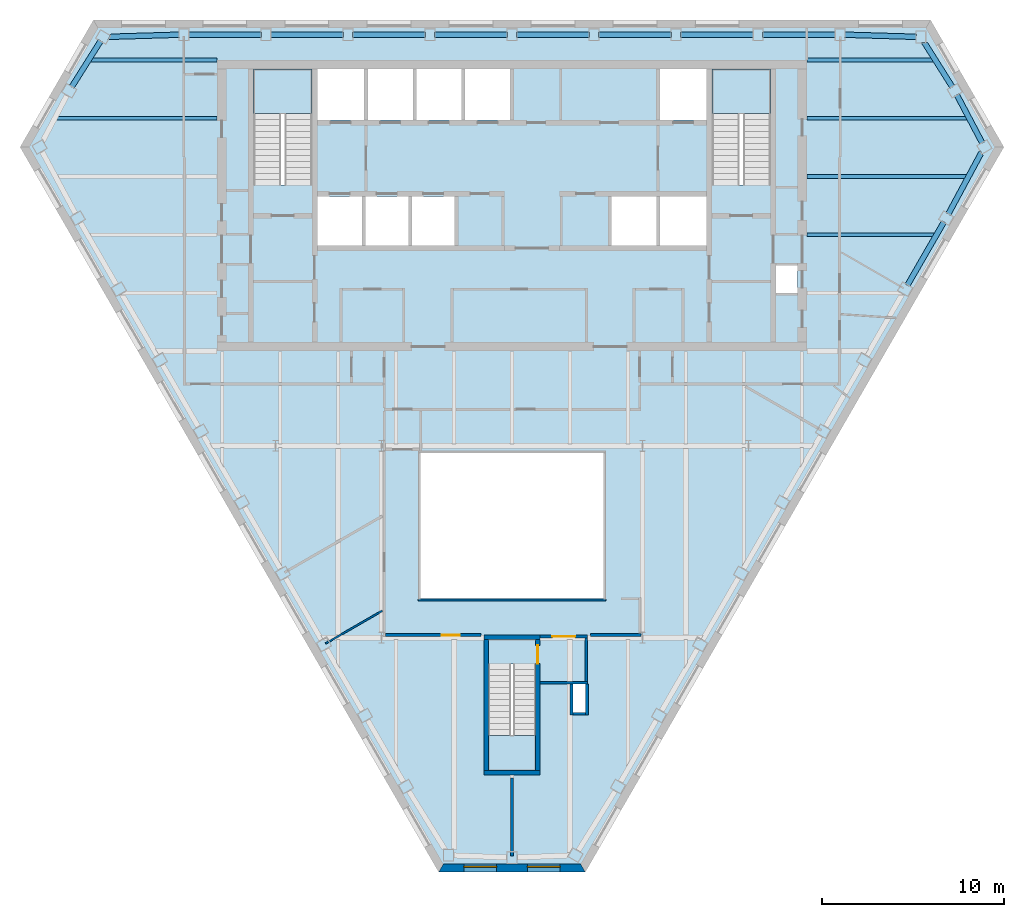
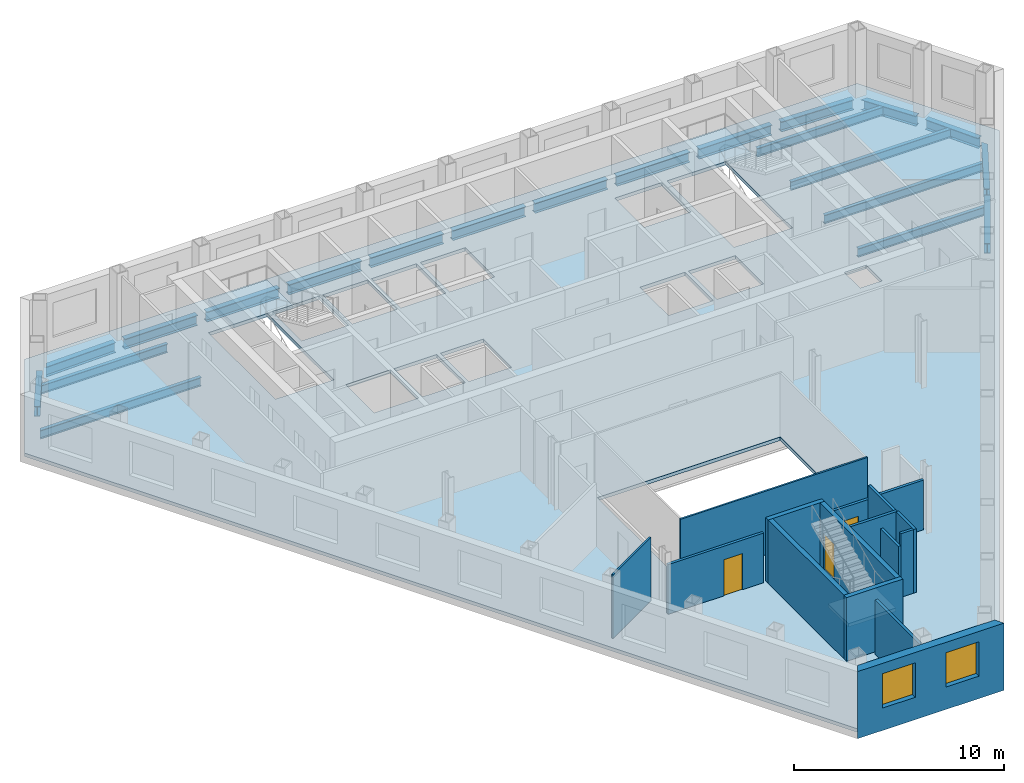
# One storey, part 3 of 11: 21 beams, 16 walls, 4 slabs, 3 doors, 2 windows, 5 openings, 3 elements without a shape of their own.
"""IFC4 building model written with IfcOpenShell, lengths in metres."""

from ifc_helpers import new_model, si_unit, direction, frame, frame_2d, origin, origin_2d, place, context, subcontext, project, spatial, polyline, rectangle, i_section, outline, extrude, clip, halfspace, material, layer, layer_set, material_profile, profile_set, type_object, element, fill, aggregate, save


model = new_model("IFC4")

# Units and contexts
model_context = context("Model", 3, precision=1e-05, world=origin(), true_north=direction((0.0, 1.0)))
body_context = subcontext(model_context, "Body", "Model", "MODEL_VIEW")
ifc_project = project(units=[si_unit("LENGTHUNIT", "METRE"), si_unit("AREAUNIT", "SQUARE_METRE"), si_unit("VOLUMEUNIT", "CUBIC_METRE"), si_unit("PLANEANGLEUNIT", "RADIAN"), si_unit("MASSUNIT", "GRAM", prefix="KILO")], contexts=[model_context])

# Site, building, storey
site_placement = place(None, origin())
site = spatial("IfcSite", under=ifc_project, at=site_placement, CompositionType="ELEMENT")
building_placement = place(site_placement, origin())
building = spatial("IfcBuilding", under=site, at=building_placement, Name="Njiva Tower", CompositionType="ELEMENT")
storey_placement = place(building_placement, frame((0.0, 0.0, 178.8)))
storey = spatial("IfcBuildingStorey", under=building, at=storey_placement, Name="L39", CompositionType="ELEMENT", Elevation=178.8)

# Beams
ifc_material_1 = material(Name="Steel S355 J2", Category="steel")
ifc_material_profile_1 = material_profile(ifc_material_1, i_section(OverallWidth=0.2, OverallDepth=0.5, WebThickness=0.0102, FlangeThickness=0.016, at=origin_2d()), Name="IPE 500")
ifc_profile_set_1 = profile_set([ifc_material_profile_1], Name="Steel S355 J2")
beam_type_1 = type_object("IfcBeamType", Name="B24 Floor beam to the core IPE 500", PredefinedType="BEAM", material=ifc_profile_set_1)
beam_1_placement = place(storey_placement, frame((16.2, 8.4, -0.45), z_axis=(1.0, 0.0, 0.0), x_axis=(0.0, 1.0, 0.0)))
element("IfcBeam", 1, at=beam_1_placement, inside=storey, type_object=beam_type_1, Name="Floor beam to the core S13-B009", PredefinedType="BEAM", context=body_context, shape_type="Clipping", body=[
    clip(extrude(i_section(OverallWidth=0.2, OverallDepth=0.5, WebThickness=0.0102, FlangeThickness=0.016, at=origin_2d()), origin(), (0.0, 0.0, 1.0), 7.091), halfspace(frame((-0.025, 0.0, 6.9986), z_axis=(-0.499998009787, 0.0, 0.866026552831), x_axis=(0.0, 1.0, 0.0)), False)),
])
beam_2_placement = place(storey_placement, frame((16.2, 11.6, -0.45), z_axis=(1.0, 0.0, 0.0), x_axis=(0.0, 1.0, 0.0)))
element("IfcBeam", 2, at=beam_2_placement, inside=storey, type_object=beam_type_1, Name="Floor beam to the core S13-B010", PredefinedType="BEAM", context=body_context, shape_type="Clipping", body=[
    clip(extrude(i_section(OverallWidth=0.2, OverallDepth=0.5, WebThickness=0.0102, FlangeThickness=0.016, at=origin_2d()), origin(), (0.0, 0.0, 1.0), 8.847), halfspace(frame((-0.0237, 0.0, 8.7598), z_axis=(-0.473777178452, 0.0, 0.88064475538), x_axis=(0.0, 1.0, 0.0)), False)),
])
beam_3_placement = place(storey_placement, frame((-25.084, 14.8, -0.45), z_axis=(1.0, 0.0, 0.0), x_axis=(0.0, 1.0, 0.0)))
element("IfcBeam", 3, at=beam_3_placement, inside=storey, type_object=beam_type_1, Name="Floor beam to the core S13-B001", PredefinedType="BEAM", context=body_context, shape_type="Clipping", body=[
    clip(extrude(i_section(OverallWidth=0.2, OverallDepth=0.5, WebThickness=0.0102, FlangeThickness=0.016, at=origin_2d()), origin(), (0.0, 0.0, 1.0), 8.884), halfspace(frame((0.0233, 0.0, 0.0855), z_axis=(0.466638905243, 0.0, -0.884447925043), x_axis=(0.0, -1.0, 0.0)), False)),
])
beam_4_placement = place(storey_placement, frame((16.2, 14.8, -0.45), z_axis=(1.0, 0.0, 0.0), x_axis=(0.0, 1.0, 0.0)))
element("IfcBeam", 4, at=beam_4_placement, inside=storey, type_object=beam_type_1, Name="Floor beam to the core S13-B011", PredefinedType="BEAM", context=body_context, shape_type="Clipping", body=[
    clip(extrude(i_section(OverallWidth=0.2, OverallDepth=0.5, WebThickness=0.0102, FlangeThickness=0.016, at=origin_2d()), origin(), (0.0, 0.0, 1.0), 8.884), halfspace(frame((0.0233, 0.0, 8.7985), z_axis=(0.466638905243, 0.0, 0.884447925043), x_axis=(0.0, 1.0, 0.0)), False)),
])
beam_5_placement = place(storey_placement, frame((-23.228, 18.0, -0.45), z_axis=(1.0, 0.0, 0.0), x_axis=(0.0, 1.0, 0.0)))
element("IfcBeam", 5, at=beam_5_placement, inside=storey, type_object=beam_type_1, Name="Floor beam to the core S13-B004", PredefinedType="BEAM", context=body_context, shape_type="Clipping", body=[
    clip(extrude(i_section(OverallWidth=0.2, OverallDepth=0.5, WebThickness=0.0102, FlangeThickness=0.016, at=origin_2d()), origin(), (0.0, 0.0, 1.0), 7.028), halfspace(frame((0.0266, 0.0, 0.0994), z_axis=(0.532629190564, 0.0, -0.846348713805), x_axis=(0.0, -1.0, 0.0)), False)),
])
beam_6_placement = place(storey_placement, frame((16.2, 18.0, -0.45), z_axis=(1.0, 0.0, 0.0), x_axis=(0.0, 1.0, 0.0)))
element("IfcBeam", 6, at=beam_6_placement, inside=storey, type_object=beam_type_1, Name="Floor beam to the core S13-B012", PredefinedType="BEAM", context=body_context, shape_type="Clipping", body=[
    clip(extrude(i_section(OverallWidth=0.2, OverallDepth=0.5, WebThickness=0.0102, FlangeThickness=0.016, at=origin_2d()), origin(), (0.0, 0.0, 1.0), 7.028), halfspace(frame((0.0266, 0.0, 6.9286), z_axis=(0.532629190564, 0.0, 0.846348713805), x_axis=(0.0, 1.0, 0.0)), False)),
])
ifc_material_profile_2 = material_profile(ifc_material_1, i_section(OverallWidth=0.3, OverallDepth=0.59, WebThickness=0.013, FlangeThickness=0.025, at=origin_2d()), Name="HEA 600")
ifc_profile_set_2 = profile_set([ifc_material_profile_2], Name="Steel S355 J2")
beam_type_2 = type_object("IfcBeamType", Name="B27 Short-span spandrel beam HEA 600", PredefinedType="SPANDREL", material=ifc_profile_set_2)
beam_7_placement = place(storey_placement, frame((22.212, 19.275, -0.495), z_axis=(-0.999555783921, 0.029803268787, 0.0), x_axis=(-0.029803268787, -0.999555783921, 0.0)))
element("IfcBeam", 7, at=beam_7_placement, inside=storey, type_object=beam_type_2, Name="Short-span spandrel beam S13-B142", PredefinedType="SPANDREL", context=body_context, shape_type="SweptSolid", body=[
    extrude(i_section(OverallWidth=0.3, OverallDepth=0.59, WebThickness=0.013, FlangeThickness=0.025, at=origin_2d()), origin(), (0.0, 0.0, 1.0), 3.9257),
])
beam_8_placement = place(storey_placement, frame((17.784, 19.4, -0.495), z_axis=(-1.0, 0.0, 0.0), x_axis=(0.0, -1.0, 0.0)))
element("IfcBeam", 8, at=beam_8_placement, inside=storey, type_object=beam_type_2, Name="Short-span spandrel beam S13-B136", PredefinedType="SPANDREL", context=body_context, shape_type="SweptSolid", body=[
    extrude(i_section(OverallWidth=0.3, OverallDepth=0.59, WebThickness=0.013, FlangeThickness=0.025, at=origin_2d()), origin(), (0.0, 0.0, 1.0), 4.008),
])
beam_9_placement = place(storey_placement, frame((13.276, 19.4, -0.495), z_axis=(-1.0, 0.0, 0.0), x_axis=(0.0, -1.0, 0.0)))
element("IfcBeam", 9, at=beam_9_placement, inside=storey, type_object=beam_type_2, Name="Short-span spandrel beam S13-B130", PredefinedType="SPANDREL", context=body_context, shape_type="SweptSolid", body=[
    extrude(i_section(OverallWidth=0.3, OverallDepth=0.59, WebThickness=0.013, FlangeThickness=0.025, at=origin_2d()), origin(), (0.0, 0.0, 1.0), 4.009),
])
beam_10_placement = place(storey_placement, frame((8.767, 19.4, -0.495), z_axis=(-1.0, 0.0, 0.0), x_axis=(0.0, -1.0, 0.0)))
element("IfcBeam", 10, at=beam_10_placement, inside=storey, type_object=beam_type_2, Name="Short-span spandrel beam S13-B124", PredefinedType="SPANDREL", context=body_context, shape_type="SweptSolid", body=[
    extrude(i_section(OverallWidth=0.3, OverallDepth=0.59, WebThickness=0.013, FlangeThickness=0.025, at=origin_2d()), origin(), (0.0, 0.0, 1.0), 4.008),
])
for number, where, z_axis, x_axis, name in (
    (11, (4.259, 19.4, -0.495), (-1.0, 0.0, 0.0), (0.0, -1.0, 0.0), "Short-span spandrel beam S13-B121"),
    (12, (-0.25, 19.4, -0.495), (-1.0, 0.0, 0.0), (0.0, -1.0, 0.0), "Short-span spandrel beam S13-B116"),
):
    element("IfcBeam", number, at=place(storey_placement, frame(where, z_axis=z_axis, x_axis=x_axis)), inside=storey, type_object=beam_type_2, Name=name, PredefinedType="SPANDREL", context=body_context, shape_type="SweptSolid", body=[
        extrude(i_section(OverallWidth=0.3, OverallDepth=0.59, WebThickness=0.013, FlangeThickness=0.025, at=origin_2d()), origin(), (0.0, 0.0, 1.0), 4.009),
    ])
beam_11_placement = place(storey_placement, frame((-4.759, 19.4, -0.495), z_axis=(-1.0, 0.0, 0.0), x_axis=(0.0, -1.0, 0.0)))
element("IfcBeam", 13, at=beam_11_placement, inside=storey, type_object=beam_type_2, Name="Short-span spandrel beam S13-B111", PredefinedType="SPANDREL", context=body_context, shape_type="SweptSolid", body=[
    extrude(i_section(OverallWidth=0.3, OverallDepth=0.59, WebThickness=0.013, FlangeThickness=0.025, at=origin_2d()), origin(), (0.0, 0.0, 1.0), 4.008),
])
beam_12_placement = place(storey_placement, frame((-9.267, 19.4, -0.495), z_axis=(-1.0, 0.0, 0.0), x_axis=(0.0, -1.0, 0.0)))
element("IfcBeam", 14, at=beam_12_placement, inside=storey, type_object=beam_type_2, Name="Short-span spandrel beam S13-B105", PredefinedType="SPANDREL", context=body_context, shape_type="SweptSolid", body=[
    extrude(i_section(OverallWidth=0.3, OverallDepth=0.59, WebThickness=0.013, FlangeThickness=0.025, at=origin_2d()), origin(), (0.0, 0.0, 1.0), 4.009),
])
beam_13_placement = place(storey_placement, frame((-13.776, 19.4, -0.495), z_axis=(-1.0, 0.0, 0.0), x_axis=(0.0, -1.0, 0.0)))
element("IfcBeam", 15, at=beam_13_placement, inside=storey, type_object=beam_type_2, Name="Short-span spandrel beam S13-B099", PredefinedType="SPANDREL", context=body_context, shape_type="SweptSolid", body=[
    extrude(i_section(OverallWidth=0.3, OverallDepth=0.59, WebThickness=0.013, FlangeThickness=0.025, at=origin_2d()), origin(), (0.0, 0.0, 1.0), 4.008),
])
beam_14_placement = place(storey_placement, frame((-18.288, 19.392, -0.495), z_axis=(-0.999548579163, -0.030043932724, 0.0), x_axis=(0.030043932724, -0.999548579163, 0.0)))
element("IfcBeam", 16, at=beam_14_placement, inside=storey, type_object=beam_type_2, Name="Short-span spandrel beam S13-B093", PredefinedType="SPANDREL", context=body_context, shape_type="Clipping", body=[
    clip(extrude(i_section(OverallWidth=0.3, OverallDepth=0.59, WebThickness=0.013, FlangeThickness=0.025, at=origin_2d()), origin(), (0.0, 0.0, 1.0), 3.9407), halfspace(frame((-0.0268, 0.0, 3.811), z_axis=(-0.525791143758, 0.0, 0.850613703832), x_axis=(0.0, 1.0, 0.0)), False)),
])
beam_15_placement = place(storey_placement, frame((-22.602, 19.051, -0.495), z_axis=(-0.532617672798, -0.846355962124, 0.0), x_axis=(0.846355962124, -0.532617672798, 0.0)))
element("IfcBeam", 17, at=beam_15_placement, inside=storey, type_object=beam_type_2, Name="Short-span spandrel beam S13-B090", PredefinedType="SPANDREL", context=body_context, shape_type="SweptSolid", body=[
    extrude(i_section(OverallWidth=0.3, OverallDepth=0.59, WebThickness=0.013, FlangeThickness=0.025, at=origin_2d()), origin(), (0.0, 0.0, 1.0), 2.9834),
])
beam_16_placement = place(storey_placement, frame((21.728, 5.628, -0.495), z_axis=(0.500003221507, 0.866023543838, 0.0), x_axis=(-0.866023543838, 0.500003221507, 0.0)))
element("IfcBeam", 18, at=beam_16_placement, inside=storey, type_object=beam_type_2, Name="Short-span spandrel beam S13-B146", PredefinedType="SPANDREL", context=body_context, shape_type="SweptSolid", body=[
    extrude(i_section(OverallWidth=0.3, OverallDepth=0.59, WebThickness=0.013, FlangeThickness=0.025, at=origin_2d()), origin(), (0.0, 0.0, 1.0), 4.008),
])
beam_17_placement = place(storey_placement, frame((23.977, 9.539, -0.495), z_axis=(0.473866139808, 0.880596889356, 0.0), x_axis=(-0.880596889356, 0.473866139808, 0.0)))
element("IfcBeam", 19, at=beam_17_placement, inside=storey, type_object=beam_type_2, Name="Short-span spandrel beam S13-B150", PredefinedType="SPANDREL", context=body_context, shape_type="Clipping", body=[
    clip(extrude(i_section(OverallWidth=0.3, OverallDepth=0.59, WebThickness=0.013, FlangeThickness=0.025, at=origin_2d()), origin(), (0.0, 0.0, 1.0), 3.9411), halfspace(frame((-0.0262, 0.0, 3.8115), z_axis=(-0.525688161714, 0.0, 0.850677351664), x_axis=(0.0, 1.0, 0.0)), False)),
])
beam_18_placement = place(storey_placement, frame((25.839, 13.445, -0.495), z_axis=(-0.466809583155, 0.884357853515, 0.0), x_axis=(-0.884357853515, -0.466809583155, 0.0)))
element("IfcBeam", 20, at=beam_18_placement, inside=storey, type_object=beam_type_2, Name="Short-span spandrel beam S13-B151", PredefinedType="SPANDREL", context=body_context, shape_type="SweptSolid", body=[
    extrude(i_section(OverallWidth=0.3, OverallDepth=0.59, WebThickness=0.013, FlangeThickness=0.025, at=origin_2d()), origin(), (0.0, 0.0, 1.0), 2.9841),
])
beam_19_placement = place(storey_placement, frame((24.191, 16.526, -0.495), z_axis=(-0.532583342935, 0.846377565173, 0.0), x_axis=(-0.846377565173, -0.532583342935, 0.0)))
element("IfcBeam", 21, at=beam_19_placement, inside=storey, type_object=beam_type_2, Name="Short-span spandrel beam S13-B147", PredefinedType="SPANDREL", context=body_context, shape_type="Clipping", body=[
    clip(extrude(i_section(OverallWidth=0.3, OverallDepth=0.59, WebThickness=0.013, FlangeThickness=0.025, at=origin_2d()), origin(), (0.0, 0.0, 1.0), 2.9981), halfspace(frame((-0.0267, 0.0, 2.8673), z_axis=(-0.532583342935, 0.0, 0.846377565173), x_axis=(0.0, 1.0, 0.0)), False)),
])

# Stair, slab
ifc_material_2 = material(Name="Concrete C40/50", Category="concrete")
stair_type_1 = type_object("IfcStairType", Name="ST4 Exit stair 1500", PredefinedType="HALF_TURN_STAIR", material=ifc_material_2)
stair_1_placement = place(storey_placement, origin())
stair_1 = element("IfcStair", 22, at=stair_1_placement, inside=storey, type_object=stair_type_1, Name="Stair A", PredefinedType="HALF_TURN_STAIR")
ifc_layer_1 = layer(ifc_material_2, 0.2)
ifc_layer_set_1 = layer_set([ifc_layer_1], Name="Concrete C40/50")
slab_type_1 = type_object("IfcSlabType", Name="FL9 Stair landing 200", PredefinedType="LANDING", material=ifc_layer_set_1)
slab_1_placement = place(storey_placement, frame((0.0, 0.0, 1.75)))
slab_1 = element("IfcSlab", 23, at=slab_1_placement, type_object=slab_type_1, Name="ST-A landing 1", PredefinedType="LANDING", context=body_context, shape_type="SweptSolid", body=[
    extrude(outline(polyline([(-14.206, 15.06), (-10.994, 15.06), (-10.994, 17.5), (-14.206, 17.5), (-14.206, 15.06)])), origin(), (0.0, 0.0, 1.0), 0.2),
])
aggregate(stair_1, [slab_1])

stair_2_placement = place(storey_placement, origin())
stair_2 = element("IfcStair", 24, at=stair_2_placement, inside=storey, type_object=stair_type_1, Name="Stair B", PredefinedType="HALF_TURN_STAIR")
slab_2_placement = place(storey_placement, frame((0.0, 0.0, 1.75)))
slab_2 = element("IfcSlab", 25, at=slab_2_placement, type_object=slab_type_1, Name="ST-B landing 1", PredefinedType="LANDING", context=body_context, shape_type="SweptSolid", body=[
    extrude(outline(polyline([(10.994, 15.06), (14.206, 15.06), (14.206, 17.5), (10.994, 17.5), (10.994, 15.06)])), origin(), (0.0, 0.0, 1.0), 0.2),
])
aggregate(stair_2, [slab_2])

stair_type_2 = type_object("IfcStairType", Name="ST1 Exit stair 1250", PredefinedType="HALF_TURN_STAIR", material=ifc_material_2)
stair_3_placement = place(storey_placement, origin())
stair_3 = element("IfcStair", 26, at=stair_3_placement, inside=storey, type_object=stair_type_2, Name="Stair C", PredefinedType="HALF_TURN_STAIR")
slab_3_placement = place(storey_placement, frame((0.0, 0.0, 1.75)))
slab_3 = element("IfcSlab", 27, at=slab_3_placement, type_object=slab_type_1, Name="ST-C landing 1", PredefinedType="LANDING", context=body_context, shape_type="SweptSolid", body=[
    extrude(outline(polyline([(-1.306, -21.05), (1.306, -21.05), (1.306, -19.12), (-1.306, -19.12), (-1.306, -21.05)])), origin(), (0.0, 0.0, 1.0), 0.2),
])
aggregate(stair_3, [slab_3])

# Slab
ifc_material_3 = material(Name="Concrete C30/37", Category="concrete")
ifc_layer_2 = layer(ifc_material_3, 0.2)
ifc_layer_set_2 = layer_set([ifc_layer_2], Name="Concrete C30/37")
slab_type_2 = type_object("IfcSlabType", Name="SL16 Composite floor slab 200", PredefinedType="FLOOR", material=ifc_layer_set_2)
slab_4_placement = place(storey_placement, frame((0.0, 0.0, -0.2)))
element("IfcSlab", 28, at=slab_4_placement, inside=storey, type_object=slab_type_2, Name="Floor slab L39", PredefinedType="FLOOR", context=body_context, shape_type="SweptSolid", body=[
    extrude(outline(polyline([(26.7752, 13.2198), (3.9001, -26.401), (-3.9001, -26.401), (-26.7752, 13.2198), (-22.8751, 19.975), (22.8751, 19.975), (26.7752, 13.2198)]), holes=[polyline([(14.5, 5.2), (15.7, 5.2), (15.7, 6.7), (14.5, 6.7), (14.5, 5.2)]), polyline([(10.994, 11.13), (14.206, 11.13), (14.206, 17.5), (10.994, 17.5), (10.994, 11.13)]), polyline([(8.125, 14.7), (10.7, 14.7), (10.7, 17.5), (8.125, 17.5), (8.125, 14.7)]), polyline([(8.1333, 7.8), (10.7, 7.8), (10.7, 10.5), (8.1333, 10.5), (8.1333, 7.8)]), polyline([(5.4667, 7.8), (7.9333, 7.8), (7.9333, 10.5), (5.4667, 10.5), (5.4667, 7.8)]), polyline([(5.02, -11.6), (5.02, -3.6), (-5.02, -3.6), (-5.02, -11.6), (5.02, -11.6)]), polyline([(3.35, -17.85), (4.05, -17.85), (4.05, -16.3), (3.35, -16.3), (3.35, -17.85)]), polyline([(-1.306, -21.05), (1.306, -21.05), (1.306, -15.19), (-1.306, -15.19), (-1.306, -21.05)]), polyline([(-2.575, 14.7), (-0.1, 14.7), (-0.1, 17.5), (-2.575, 17.5), (-2.575, 14.7)]), polyline([(-5.25, 14.7), (-2.775, 14.7), (-2.775, 17.5), (-5.25, 17.5), (-5.25, 14.7)]), polyline([(-5.5, 7.8), (-3.15, 7.8), (-3.15, 10.5), (-5.5, 10.5), (-5.5, 7.8)]), polyline([(-7.925, 14.7), (-5.45, 14.7), (-5.45, 17.5), (-7.925, 17.5), (-7.925, 14.7)]), polyline([(-8.05, 7.8), (-5.7, 7.8), (-5.7, 10.5), (-8.05, 10.5), (-8.05, 7.8)]), polyline([(-10.7, 14.7), (-8.125, 14.7), (-8.125, 17.5), (-10.7, 17.5), (-10.7, 14.7)]), polyline([(-10.7, 7.8), (-8.25, 7.8), (-8.25, 10.5), (-10.7, 10.5), (-10.7, 7.8)]), polyline([(-14.206, 11.13), (-10.994, 11.13), (-10.994, 17.5), (-14.206, 17.5), (-14.206, 11.13)])]), origin(), (0.0, 0.0, 1.0), 0.2),
])

# Wall
ifc_material_4 = material(Name="Gypsum board on steel studs", Category="gypsum")
ifc_layer_3 = layer(ifc_material_4, 0.1)
ifc_layer_set_3 = layer_set([ifc_layer_3], Name="Gypsum board on steel studs")
wall_type_1 = type_object("IfcWallType", Name="WT20 Gypsum partition 100", PredefinedType="PARTITIONING", material=ifc_layer_set_3)
wall_1_placement = place(storey_placement, frame((-10.244, -14.062, 0.0), z_axis=(0.0, 0.0, 1.0), x_axis=(0.866102493935, 0.499866452165, 0.0)))
element("IfcWall", 29, at=wall_1_placement, inside=storey, type_object=wall_type_1, Name="Partition S13-P007", PredefinedType="PARTITIONING", context=body_context, shape_type="SweptSolid", body=[
    extrude(rectangle(XDim=3.607, YDim=0.1, at=frame_2d((1.8035, 0.0))), origin(), (0.0, 0.0, 1.0), 3.7),
])

# Wall, opening, door
ifc_layer_4 = layer(ifc_material_4, 0.15)
ifc_layer_set_4 = layer_set([ifc_layer_4], Name="Gypsum board on steel studs")
wall_type_2 = type_object("IfcWallType", Name="WT21 Compartment wall 150", PredefinedType="PARTITIONING", material=ifc_layer_set_4)
wall_2_placement = place(storey_placement, frame((-6.945, -13.6, 0.0), z_axis=(0.0, 0.0, 1.0), x_axis=(1.0, 0.0, 0.0)))
wall_2 = element("IfcWall", 30, at=wall_2_placement, inside=storey, type_object=wall_type_2, Name="Partition S13-P013", PredefinedType="PARTITIONING", context=body_context, shape_type="SweptSolid", body=[
    extrude(rectangle(XDim=5.245, YDim=0.15, at=frame_2d((2.6225, 0.0))), origin(), (0.0, 0.0, 1.0), 2.886),
])
opening_1_placement = place(wall_2_placement, frame((3.079, 0.0, 0.0)))
opening_1 = element("IfcOpeningElement", 31, at=opening_1_placement, cuts=wall_2, Name="Opening S13-D008", PredefinedType="OPENING", context=body_context, shape_type="SweptSolid", body=[
    extrude(rectangle(XDim=1.0, YDim=2.1, at=frame_2d((0.5, 1.05))), frame((0.0, 0.085, 0.0), z_axis=(0.0, -1.0, 0.0), x_axis=(1.0, 0.0, 0.0)), (0.0, 0.0, 1.0), 0.17),
])
ifc_material_5 = material(Name="Steel fire door set", Category="steel")
door_type_1 = type_object("IfcDoorType", Name="D37 Fire door 1000x2100", OperationType="SINGLE_SWING_LEFT", PredefinedType="DOOR", material=ifc_material_5)
door_1_placement = place(opening_1_placement, origin())
door_1 = element("IfcDoor", 32, at=door_1_placement, inside=storey, type_object=door_type_1, Name="Door S13-D008", OperationType="SINGLE_SWING_RIGHT", OverallHeight=2.1, OverallWidth=1.0, PredefinedType="DOOR", context=body_context, shape_type="SweptSolid", body=[
    extrude(rectangle(XDim=1.0, YDim=2.1, at=frame_2d((0.5, 1.05))), frame((0.0, 0.025, 0.0), z_axis=(0.0, -1.0, 0.0), x_axis=(1.0, 0.0, 0.0)), (0.0, 0.0, 1.0), 0.05),
])
fill(opening_1, door_1)

# Walls
wall_3_placement = place(storey_placement, frame((0.0, -25.726, 0.0), z_axis=(0.0, 0.0, 1.0), x_axis=(0.0, 1.0, 0.0)))
element("IfcWall", 33, at=wall_3_placement, inside=storey, type_object=wall_type_2, Name="Partition S13-P016", PredefinedType="PARTITIONING", context=body_context, shape_type="SweptSolid", body=[
    extrude(rectangle(XDim=4.276, YDim=0.15, at=frame_2d((2.138, 0.0))), origin(), (0.0, 0.0, 1.0), 3.15),
])
wall_4_placement = place(storey_placement, frame((4.3, -13.6, 0.0), z_axis=(0.0, 0.0, 1.0), x_axis=(1.0, 0.0, 0.0)))
element("IfcWall", 34, at=wall_4_placement, inside=storey, type_object=wall_type_2, Name="Partition S13-P017", PredefinedType="PARTITIONING", context=body_context, shape_type="SweptSolid", body=[
    extrude(rectangle(XDim=2.795, YDim=0.15, at=frame_2d((1.3975, 0.0))), origin(), (0.0, 0.0, 1.0), 2.886),
])
ifc_material_6 = material(Name="Blockwork", Category="masonry")
ifc_layer_5 = layer(ifc_material_6, 0.15)
ifc_layer_set_5 = layer_set([ifc_layer_5], Name="Blockwork")
wall_type_3 = type_object("IfcWallType", Name="WT4 Stair partition 150", PredefinedType="PARTITIONING", material=ifc_layer_set_5)
wall_5_placement = place(storey_placement, frame((1.55, -16.225, 0.0), z_axis=(0.0, 0.0, 1.0), x_axis=(1.0, 0.0, 0.0)))
element("IfcWall", 35, at=wall_5_placement, inside=storey, type_object=wall_type_3, Name="Stair C vestibule wall south", PredefinedType="PARTITIONING", context=body_context, shape_type="SweptSolid", body=[
    extrude(rectangle(XDim=2.6, YDim=0.15, at=frame_2d((1.3, 0.0))), origin(), (0.0, 0.0, 1.0), 3.7),
])
wall_6_placement = place(storey_placement, frame((4.075, -16.15, 0.0), z_axis=(0.0, 0.0, 1.0), x_axis=(0.0, 1.0, 0.0)))
element("IfcWall", 36, at=wall_6_placement, inside=storey, type_object=wall_type_3, Name="Stair C vestibule wall east", PredefinedType="PARTITIONING", context=body_context, shape_type="SweptSolid", body=[
    extrude(rectangle(XDim=2.4, YDim=0.15, at=frame_2d((1.2, 0.0))), origin(), (0.0, 0.0, 1.0), 3.7),
])

# Wall, opening, door
wall_7_placement = place(storey_placement, frame((1.55, -13.675, 0.0), z_axis=(0.0, 0.0, 1.0), x_axis=(1.0, 0.0, 0.0)))
wall_7 = element("IfcWall", 37, at=wall_7_placement, inside=storey, type_object=wall_type_3, Name="Stair C vestibule wall north", PredefinedType="PARTITIONING", context=body_context, shape_type="SweptSolid", body=[
    extrude(rectangle(XDim=2.6, YDim=0.15, at=frame_2d((1.3, 0.0))), origin(), (0.0, 0.0, 1.0), 2.886),
])
opening_2_placement = place(wall_7_placement, frame((0.675, 0.0, 0.0)))
opening_2 = element("IfcOpeningElement", 38, at=opening_2_placement, cuts=wall_7, Name="Opening S13-D940", PredefinedType="OPENING", context=body_context, shape_type="SweptSolid", body=[
    extrude(rectangle(XDim=1.25, YDim=2.1, at=frame_2d((0.625, 1.05))), frame((0.0, 0.085, 0.0), z_axis=(0.0, -1.0, 0.0), x_axis=(1.0, 0.0, 0.0)), (0.0, 0.0, 1.0), 0.17),
])
ifc_material_7 = material(Name="Glazed steel fire door", Category="steel")
door_type_2 = type_object("IfcDoorType", Name="D8 Vestibule corridor door 1250x2100 glazed", OperationType="SINGLE_SWING_LEFT", PredefinedType="DOOR", material=ifc_material_7)
door_2_placement = place(opening_2_placement, origin())
door_2 = element("IfcDoor", 39, at=door_2_placement, inside=storey, type_object=door_type_2, Name="Stair vestibule corridor door", OperationType="SINGLE_SWING_RIGHT", OverallHeight=2.1, OverallWidth=1.25, PredefinedType="DOOR", context=body_context, shape_type="SweptSolid", body=[
    extrude(rectangle(XDim=1.25, YDim=2.1, at=frame_2d((0.625, 1.05))), frame((0.0, 0.025, 0.0), z_axis=(0.0, -1.0, 0.0), x_axis=(1.0, 0.0, 0.0)), (0.0, 0.0, 1.0), 0.05),
])
fill(opening_2, door_2)

# Walls
wall_8_placement = place(storey_placement, frame((3.275, -18.0, 0.0), z_axis=(0.0, 0.0, 1.0), x_axis=(0.0, 1.0, 0.0)))
element("IfcWall", 40, at=wall_8_placement, inside=storey, type_object=wall_type_3, Name="Stair C pressurisation shaft wall", PredefinedType="PARTITIONING", context=body_context, shape_type="SweptSolid", body=[
    extrude(rectangle(XDim=1.7, YDim=0.15, at=frame_2d((0.85, 0.0))), origin(), (0.0, 0.0, 1.0), 3.01),
])
wall_9_placement = place(storey_placement, frame((3.35, -17.925, 0.0), z_axis=(0.0, 0.0, 1.0), x_axis=(1.0, 0.0, 0.0)))
element("IfcWall", 41, at=wall_9_placement, inside=storey, type_object=wall_type_3, Name="Stair C pressurisation shaft wall", PredefinedType="PARTITIONING", context=body_context, shape_type="SweptSolid", body=[
    extrude(rectangle(XDim=0.7, YDim=0.15, at=frame_2d((0.35, 0.0))), origin(), (0.0, 0.0, 1.0), 3.7),
])
wall_10_placement = place(storey_placement, frame((4.125, -18.0, 0.0), z_axis=(0.0, 0.0, 1.0), x_axis=(0.0, 1.0, 0.0)))
element("IfcWall", 42, at=wall_10_placement, inside=storey, type_object=wall_type_3, Name="Stair C pressurisation shaft wall", PredefinedType="PARTITIONING", context=body_context, shape_type="SweptSolid", body=[
    extrude(rectangle(XDim=1.7, YDim=0.15, at=frame_2d((0.85, 0.0))), origin(), (0.0, 0.0, 1.0), 3.7),
])
ifc_layer_6 = layer(ifc_material_2, 0.25)
ifc_layer_set_6 = layer_set([ifc_layer_6], Name="Concrete C40/50")
wall_type_4 = type_object("IfcWallType", Name="WT9 Stair enclosure wall 250", PredefinedType="SHEAR", material=ifc_layer_set_6)
wall_11_placement = place(storey_placement, frame((-1.425, -21.05, 0.0), z_axis=(0.0, 0.0, 1.0), x_axis=(0.0, 1.0, 0.0)))
element("IfcWall", 43, at=wall_11_placement, inside=storey, type_object=wall_type_4, Name="Stair C wall west", PredefinedType="SHEAR", context=body_context, shape_type="SweptSolid", body=[
    extrude(rectangle(XDim=7.2, YDim=0.25, at=frame_2d((3.6, 0.0))), origin(), (0.0, 0.0, 1.0), 3.7),
])

# Wall, opening, door
wall_12_placement = place(storey_placement, frame((1.425, -21.05, 0.0), z_axis=(0.0, 0.0, 1.0), x_axis=(0.0, 1.0, 0.0)))
wall_12 = element("IfcWall", 44, at=wall_12_placement, inside=storey, type_object=wall_type_4, Name="Stair C wall east", PredefinedType="SHEAR", context=body_context, shape_type="SweptSolid", body=[
    extrude(rectangle(XDim=7.2, YDim=0.25, at=frame_2d((3.6, 0.0))), origin(), (0.0, 0.0, 1.0), 3.7),
])
opening_3_placement = place(wall_12_placement, frame((5.89, 0.0, 0.0)))
opening_3 = element("IfcOpeningElement", 45, at=opening_3_placement, cuts=wall_12, Name="Opening S13-D939", PredefinedType="OPENING", context=body_context, shape_type="SweptSolid", body=[
    extrude(rectangle(XDim=1.0, YDim=2.1, at=frame_2d((0.5, 1.05))), frame((0.0, 0.135, 0.0), z_axis=(0.0, -1.0, 0.0), x_axis=(1.0, 0.0, 0.0)), (0.0, 0.0, 1.0), 0.27),
])
door_type_3 = type_object("IfcDoorType", Name="D9 Stair vestibule door 1000x2100 glazed", OperationType="SINGLE_SWING_LEFT", PredefinedType="DOOR", material=ifc_material_7)
door_3_placement = place(opening_3_placement, origin())
door_3 = element("IfcDoor", 46, at=door_3_placement, inside=storey, type_object=door_type_3, Name="Stair C door", OperationType="SINGLE_SWING_LEFT", OverallHeight=2.1, OverallWidth=1.0, PredefinedType="DOOR", context=body_context, shape_type="SweptSolid", body=[
    extrude(rectangle(XDim=1.0, YDim=2.1, at=frame_2d((0.5, 1.05))), frame((0.0, 0.025, 0.0), z_axis=(0.0, -1.0, 0.0), x_axis=(1.0, 0.0, 0.0)), (0.0, 0.0, 1.0), 0.05),
])
fill(opening_3, door_3)

# Walls
for number, where, z_axis, x_axis, name in (
    (47, (-1.55, -21.175, 0.0), (0.0, 0.0, 1.0), (1.0, 0.0, 0.0), "Stair C wall south"),
    (48, (-1.55, -13.725, 0.0), (0.0, 0.0, 1.0), (1.0, 0.0, 0.0), "Stair C wall north"),
):
    element("IfcWall", number, at=place(storey_placement, frame(where, z_axis=z_axis, x_axis=x_axis)), inside=storey, type_object=wall_type_4, Name=name, PredefinedType="SHEAR", context=body_context, shape_type="SweptSolid", body=[
        extrude(rectangle(XDim=3.1, YDim=0.25, at=frame_2d((1.55, 0.0))), origin(), (0.0, 0.0, 1.0), 3.7),
    ])

# Wall, openings, windows
ifc_material_8 = material(Name="Brick masonry, buff", Category="masonry")
ifc_layer_7 = layer(ifc_material_8, 0.45)
ifc_layer_set_7 = layer_set([ifc_layer_7], Name="Brick masonry, buff")
wall_type_5 = type_object("IfcWallType", Name="WT94 Brick pier and spandrel wall 450, buff", PredefinedType="SOLIDWALL", material=ifc_layer_set_7)
wall_13_placement = place(storey_placement, frame((-3.9001, -26.401, -0.4), z_axis=(0.0, 0.0, 1.0), x_axis=(1.0, 0.0, 0.0)))
wall_13 = element("IfcWall", 49, at=wall_13_placement, inside=storey, type_object=wall_type_5, Name="Facade wall S", PredefinedType="SOLIDWALL", context=body_context, shape_type="SweptSolid", body=[
    extrude(outline(polyline([(-0.1299, -0.225), (7.9301, -0.225), (7.6703, 0.225), (0.1299, 0.225), (-0.1299, -0.225)])), origin(), (0.0, 0.0, 1.0), 3.9),
])
opening_4_placement = place(wall_13_placement, frame((1.2544, 0.0, 1.3)))
opening_4 = element("IfcOpeningElement", 50, at=opening_4_placement, cuts=wall_13, Name="Opening S13-W22", PredefinedType="OPENING", context=body_context, shape_type="SweptSolid", body=[
    extrude(rectangle(XDim=1.8, YDim=2.0, at=frame_2d((0.9, 1.0))), frame((0.0, 0.235, 0.0), z_axis=(0.0, -1.0, 0.0), x_axis=(1.0, 0.0, 0.0)), (0.0, 0.0, 1.0), 0.47),
])
opening_5_placement = place(wall_13_placement, frame((4.7457, 0.0, 1.3)))
opening_5 = element("IfcOpeningElement", 51, at=opening_5_placement, cuts=wall_13, Name="Opening S13-W23", PredefinedType="OPENING", context=body_context, shape_type="SweptSolid", body=[
    extrude(rectangle(XDim=1.8, YDim=2.0, at=frame_2d((0.9, 1.0))), frame((0.0, 0.235, 0.0), z_axis=(0.0, -1.0, 0.0), x_axis=(1.0, 0.0, 0.0)), (0.0, 0.0, 1.0), 0.47),
])
ifc_material_9 = material(Name="Clear glazing in aluminium frame", Category="aluminium")
window_type = type_object("IfcWindowType", Name="W94 Deep-set window 1800x2000", PartitioningType="SINGLE_PANEL", PredefinedType="WINDOW", material=ifc_material_9)
window_1_placement = place(opening_4_placement, origin())
window_1 = element("IfcWindow", 52, at=window_1_placement, inside=storey, type_object=window_type, Name="Window", OverallHeight=2.0, OverallWidth=1.8, PartitioningType="SINGLE_PANEL", PredefinedType="WINDOW", context=body_context, shape_type="SweptSolid", body=[
    extrude(rectangle(XDim=1.8, YDim=2.0, at=frame_2d((0.9, 1.0))), frame((0.0, 0.105, 0.0), z_axis=(0.0, -1.0, 0.0), x_axis=(1.0, 0.0, 0.0)), (0.0, 0.0, 1.0), 0.06),
])
fill(opening_4, window_1)
window_2_placement = place(opening_5_placement, origin())
window_2 = element("IfcWindow", 53, at=window_2_placement, inside=storey, type_object=window_type, Name="Window", OverallHeight=2.0, OverallWidth=1.8, PartitioningType="SINGLE_PANEL", PredefinedType="WINDOW", context=body_context, shape_type="SweptSolid", body=[
    extrude(rectangle(XDim=1.8, YDim=2.0, at=frame_2d((0.9, 1.0))), frame((0.0, 0.105, 0.0), z_axis=(0.0, -1.0, 0.0), x_axis=(1.0, 0.0, 0.0)), (0.0, 0.0, 1.0), 0.06),
])
fill(opening_5, window_2)

# Wall
ifc_material_10 = material(Name="Fire-resisting glazing EI 90", Category="glass")
ifc_layer_8 = layer(ifc_material_10, 0.1)
ifc_layer_set_8 = layer_set([ifc_layer_8], Name="Fire-resisting glazing EI 90")
wall_type_6 = type_object("IfcWallType", Name="WT95 Fire-resisting glazed screen EI 90", PredefinedType="PARTITIONING", material=ifc_layer_set_8)
wall_14_placement = place(storey_placement, frame((-5.14, -11.67, 0.0), z_axis=(0.0, 0.0, 1.0), x_axis=(1.0, 0.0, 0.0)))
element("IfcWall", 54, at=wall_14_placement, inside=storey, type_object=wall_type_6, Name="Atrium fire screen south", PredefinedType="PARTITIONING", context=body_context, shape_type="SweptSolid", body=[
    extrude(rectangle(XDim=10.28, YDim=0.1, at=frame_2d((5.14, 0.0))), origin(), (0.0, 0.0, 1.0), 3.7),
])

save(model, "model.ifc")
